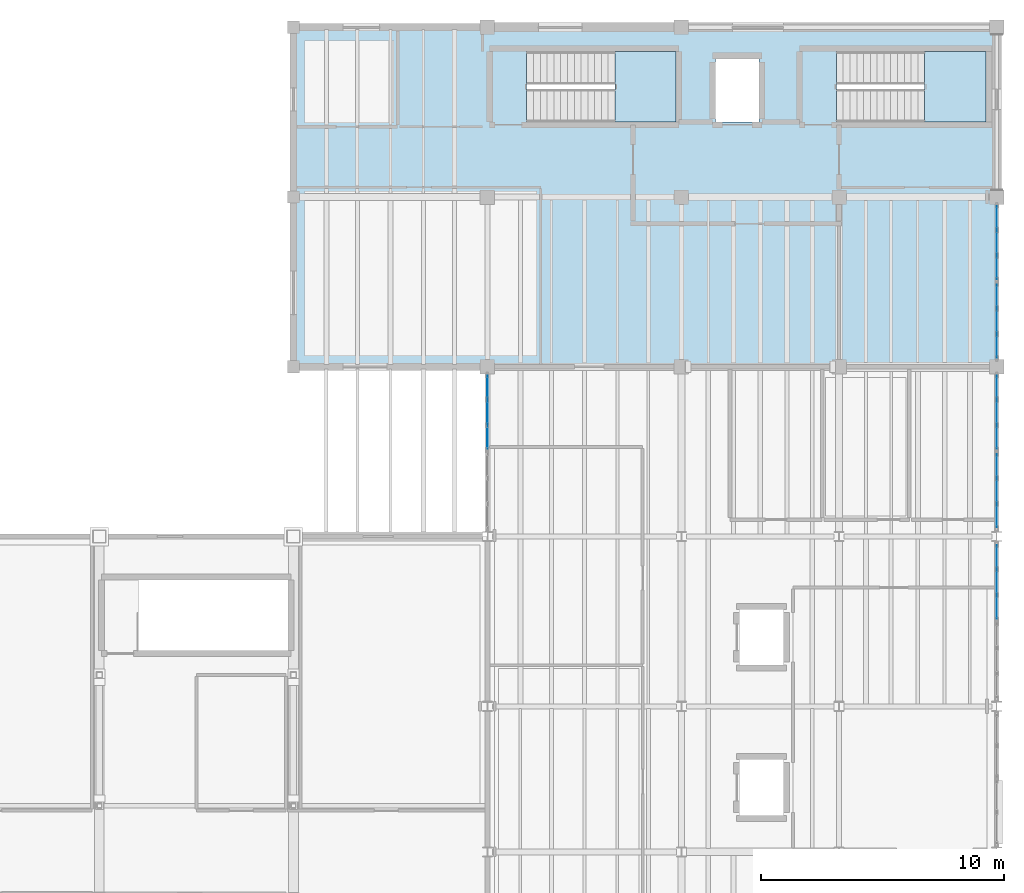
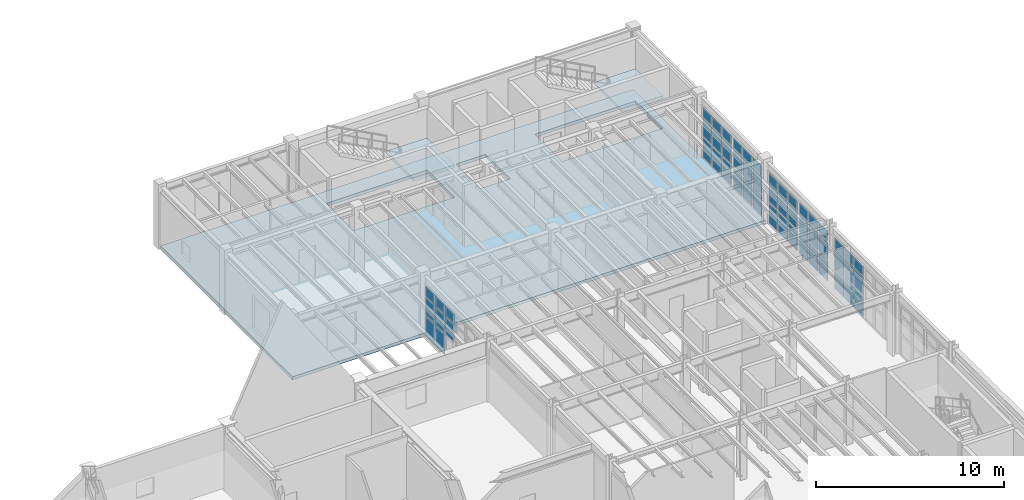
# One storey, part 53 of 78: 53 plates, 3 slabs, 8 elements without a shape of their own.
"""IFC4 building model written with IfcOpenShell, lengths in metres."""

from ifc_helpers import new_model, si_unit, direction, frame, origin, origin_2d, place, context, subcontext, project, spatial, polyline, rectangle, outline, extrude, material, layer, layer_set, type_object, element, aggregate, save


model = new_model("IFC4")

# Units and contexts
model_context = context("Model", 3, precision=1e-05, world=origin(), true_north=direction((0.0, 1.0)))
body_context = subcontext(model_context, "Body", "Model", "MODEL_VIEW")
ifc_project = project(units=[si_unit("LENGTHUNIT", "METRE"), si_unit("AREAUNIT", "SQUARE_METRE"), si_unit("VOLUMEUNIT", "CUBIC_METRE"), si_unit("PLANEANGLEUNIT", "RADIAN"), si_unit("MASSUNIT", "GRAM", prefix="KILO"), si_unit("THERMODYNAMICTEMPERATUREUNIT", "KELVIN"), si_unit("POWERUNIT", "WATT")], contexts=[model_context])

# Site, building, storey
site_placement = place(None, origin())
site = spatial("IfcSite", under=ifc_project, at=site_placement, CompositionType="ELEMENT")
building_placement = place(site_placement, origin())
building = spatial("IfcBuilding", under=site, at=building_placement, Name="Zhenchuan Central Fire Station", CompositionType="ELEMENT")
storey_placement = place(building_placement, frame((0.0, 0.0, 5.85009765625)))
storey = spatial("IfcBuildingStorey", under=building, at=storey_placement, Name="L02", CompositionType="ELEMENT", Elevation=5.85009765625)

# Curtain wall, plates
ifc_material_1 = material(Name="Anodised aluminium and low-E glazing", Category="aluminium")
curtain_wall_type_1 = type_object("IfcCurtainWallType", Name="CW-MOD-11", PredefinedType="USERDEFINED", material=ifc_material_1)
curtain_wall_1_placement = place(storey_placement, origin())
curtain_wall_1 = element("IfcCurtainWall", 1, at=curtain_wall_1_placement, inside=storey, type_object=curtain_wall_type_1, Name="L02 Unitised Curtain Wall 093", ObjectType="UNITISED GLAZING", PredefinedType="USERDEFINED")
ifc_material_2 = material(Name="Laminated low-E double glazing", Category="glass")
ifc_layer_1 = layer(ifc_material_2, 0.011962890625, Name="Laminated low-E double glazing", Category="glass")
ifc_layer_set_1 = layer_set([ifc_layer_1], Name="Laminated low-E double glazing")
plate_type = type_object("IfcPlateType", Name="CW-PNL12", PredefinedType="CURTAIN_PANEL", material=ifc_layer_set_1)
plate_1_placement = place(storey_placement, frame((161.0, 32.581298828125, 0.06103515625), z_axis=(0.0, 0.0, 1.0), x_axis=(0.0, 1.0, 0.0)))
plate_1 = element("IfcPlate", 2, at=plate_1_placement, type_object=plate_type, Name="CW-11 panel 1.1", PredefinedType="CURTAIN_PANEL", context=body_context, shape_type="SweptSolid", body=[
    extrude(rectangle(XDim=0.95654296875, YDim=0.011962890625, at=origin_2d()), origin(), (0.0, 0.0, 1.0), 1.33447265625),
])
plate_2_placement = place(storey_placement, frame((161.0, 32.581298828125, 1.46044921875), z_axis=(0.0, 0.0, 1.0), x_axis=(0.0, 1.0, 0.0)))
plate_2 = element("IfcPlate", 3, at=plate_2_placement, type_object=plate_type, Name="CW-11 panel 1.2", PredefinedType="CURTAIN_PANEL", context=body_context, shape_type="SweptSolid", body=[
    extrude(rectangle(XDim=0.95654296875, YDim=0.011962890625, at=origin_2d()), origin(), (0.0, 0.0, 1.0), 1.158935546875),
])
plate_3_placement = place(storey_placement, frame((161.0, 32.581298828125, 2.6845703125), z_axis=(0.0, 0.0, 1.0), x_axis=(0.0, 1.0, 0.0)))
plate_3 = element("IfcPlate", 4, at=plate_3_placement, type_object=plate_type, Name="CW-11 panel 1.3", PredefinedType="CURTAIN_PANEL", context=body_context, shape_type="SweptSolid", body=[
    extrude(rectangle(XDim=0.95654296875, YDim=0.011962890625, at=origin_2d()), origin(), (0.0, 0.0, 1.0), 0.650390625),
])
plate_4_placement = place(storey_placement, frame((161.0, 33.618896484375, 0.06103515625), z_axis=(0.0, 0.0, 1.0), x_axis=(0.0, 1.0, 0.0)))
plate_4 = element("IfcPlate", 5, at=plate_4_placement, type_object=plate_type, Name="CW-11 panel 2.1", PredefinedType="CURTAIN_PANEL", context=body_context, shape_type="SweptSolid", body=[
    extrude(rectangle(XDim=0.989013671875, YDim=0.011962890625, at=origin_2d()), origin(), (0.0, 0.0, 1.0), 1.33447265625),
])
plate_5_placement = place(storey_placement, frame((161.0, 33.618896484375, 1.46044921875), z_axis=(0.0, 0.0, 1.0), x_axis=(0.0, 1.0, 0.0)))
plate_5 = element("IfcPlate", 6, at=plate_5_placement, type_object=plate_type, Name="CW-11 panel 2.2", PredefinedType="CURTAIN_PANEL", context=body_context, shape_type="SweptSolid", body=[
    extrude(rectangle(XDim=0.989013671875, YDim=0.011962890625, at=origin_2d()), origin(), (0.0, 0.0, 1.0), 1.158935546875),
])
plate_6_placement = place(storey_placement, frame((161.0, 33.618896484375, 2.6845703125), z_axis=(0.0, 0.0, 1.0), x_axis=(0.0, 1.0, 0.0)))
plate_6 = element("IfcPlate", 7, at=plate_6_placement, type_object=plate_type, Name="CW-11 panel 2.3", PredefinedType="CURTAIN_PANEL", context=body_context, shape_type="SweptSolid", body=[
    extrude(rectangle(XDim=0.989013671875, YDim=0.011962890625, at=origin_2d()), origin(), (0.0, 0.0, 1.0), 0.650390625),
])
plate_7_placement = place(storey_placement, frame((161.0, 34.65673828125, 0.06103515625), z_axis=(0.0, 0.0, 1.0), x_axis=(0.0, 1.0, 0.0)))
plate_7 = element("IfcPlate", 8, at=plate_7_placement, type_object=plate_type, Name="CW-11 panel 3.1", PredefinedType="CURTAIN_PANEL", context=body_context, shape_type="SweptSolid", body=[
    extrude(rectangle(XDim=0.95654296875, YDim=0.011962890625, at=origin_2d()), origin(), (0.0, 0.0, 1.0), 1.33447265625),
])
plate_8_placement = place(storey_placement, frame((161.0, 34.65673828125, 1.46044921875), z_axis=(0.0, 0.0, 1.0), x_axis=(0.0, 1.0, 0.0)))
plate_8 = element("IfcPlate", 9, at=plate_8_placement, type_object=plate_type, Name="CW-11 panel 3.2", PredefinedType="CURTAIN_PANEL", context=body_context, shape_type="SweptSolid", body=[
    extrude(rectangle(XDim=0.95654296875, YDim=0.011962890625, at=origin_2d()), origin(), (0.0, 0.0, 1.0), 1.158935546875),
])
plate_9_placement = place(storey_placement, frame((161.0, 34.65673828125, 2.6845703125), z_axis=(0.0, 0.0, 1.0), x_axis=(0.0, 1.0, 0.0)))
plate_9 = element("IfcPlate", 10, at=plate_9_placement, type_object=plate_type, Name="CW-11 panel 3.3", PredefinedType="CURTAIN_PANEL", context=body_context, shape_type="SweptSolid", body=[
    extrude(rectangle(XDim=0.95654296875, YDim=0.011962890625, at=origin_2d()), origin(), (0.0, 0.0, 1.0), 0.650390625),
])
aggregate(curtain_wall_1, [plate_1, plate_2, plate_3, plate_4, plate_5, plate_6, plate_7, plate_8, plate_9])

curtain_wall_type_2 = type_object("IfcCurtainWallType", Name="CW-MOD-12", PredefinedType="USERDEFINED", material=ifc_material_1)
curtain_wall_2_placement = place(storey_placement, origin())
curtain_wall_2 = element("IfcCurtainWall", 11, at=curtain_wall_2_placement, inside=storey, type_object=curtain_wall_type_2, Name="L02 Unitised Curtain Wall 094", ObjectType="UNITISED GLAZING", PredefinedType="USERDEFINED")
plate_10_placement = place(storey_placement, frame((161.0, 36.345703125, 0.07080078125), z_axis=(0.0, 0.0, 1.0), x_axis=(0.0, 1.0, 0.0)))
plate_10 = element("IfcPlate", 12, at=plate_10_placement, type_object=plate_type, Name="CW-12 panel 1.1", PredefinedType="CURTAIN_PANEL", context=body_context, shape_type="SweptSolid", body=[
    extrude(rectangle(XDim=0.94140625, YDim=0.011962890625, at=origin_2d()), origin(), (0.0, 0.0, 1.0), 1.319580078125),
])
plate_11_placement = place(storey_placement, frame((161.0, 36.345703125, 1.46533203125), z_axis=(0.0, 0.0, 1.0), x_axis=(0.0, 1.0, 0.0)))
plate_11 = element("IfcPlate", 13, at=plate_11_placement, type_object=plate_type, Name="CW-12 panel 1.2", PredefinedType="CURTAIN_PANEL", context=body_context, shape_type="SweptSolid", body=[
    extrude(rectangle(XDim=0.94140625, YDim=0.011962890625, at=origin_2d()), origin(), (0.0, 0.0, 1.0), 1.14892578125),
])
plate_12_placement = place(storey_placement, frame((161.0, 36.345703125, 2.689453125), z_axis=(0.0, 0.0, 1.0), x_axis=(0.0, 1.0, 0.0)))
plate_12 = element("IfcPlate", 14, at=plate_12_placement, type_object=plate_type, Name="CW-12 panel 1.3", PredefinedType="CURTAIN_PANEL", context=body_context, shape_type="SweptSolid", body=[
    extrude(rectangle(XDim=0.94140625, YDim=0.011962890625, at=origin_2d()), origin(), (0.0, 0.0, 1.0), 0.635498046875),
])
plate_13_placement = place(storey_placement, frame((161.0, 37.381103515625, 0.07080078125), z_axis=(0.0, 0.0, 1.0), x_axis=(0.0, 1.0, 0.0)))
plate_13 = element("IfcPlate", 15, at=plate_13_placement, type_object=plate_type, Name="CW-12 panel 2.1", PredefinedType="CURTAIN_PANEL", context=body_context, shape_type="SweptSolid", body=[
    extrude(rectangle(XDim=0.97900390625, YDim=0.011962890625, at=origin_2d()), origin(), (0.0, 0.0, 1.0), 1.319580078125),
])
plate_14_placement = place(storey_placement, frame((161.0, 37.381103515625, 1.46533203125), z_axis=(0.0, 0.0, 1.0), x_axis=(0.0, 1.0, 0.0)))
plate_14 = element("IfcPlate", 16, at=plate_14_placement, type_object=plate_type, Name="CW-12 panel 2.2", PredefinedType="CURTAIN_PANEL", context=body_context, shape_type="SweptSolid", body=[
    extrude(rectangle(XDim=0.97900390625, YDim=0.011962890625, at=origin_2d()), origin(), (0.0, 0.0, 1.0), 1.14892578125),
])
plate_15_placement = place(storey_placement, frame((161.0, 37.381103515625, 2.689453125), z_axis=(0.0, 0.0, 1.0), x_axis=(0.0, 1.0, 0.0)))
plate_15 = element("IfcPlate", 17, at=plate_15_placement, type_object=plate_type, Name="CW-12 panel 2.3", PredefinedType="CURTAIN_PANEL", context=body_context, shape_type="SweptSolid", body=[
    extrude(rectangle(XDim=0.97900390625, YDim=0.011962890625, at=origin_2d()), origin(), (0.0, 0.0, 1.0), 0.635498046875),
])
plate_16_placement = place(storey_placement, frame((161.0, 38.416259765625, 0.07080078125), z_axis=(0.0, 0.0, 1.0), x_axis=(0.0, 1.0, 0.0)))
plate_16 = element("IfcPlate", 18, at=plate_16_placement, type_object=plate_type, Name="CW-12 panel 3.1", PredefinedType="CURTAIN_PANEL", context=body_context, shape_type="SweptSolid", body=[
    extrude(rectangle(XDim=0.94140625, YDim=0.011962890625, at=origin_2d()), origin(), (0.0, 0.0, 1.0), 1.319580078125),
])
plate_17_placement = place(storey_placement, frame((161.0, 38.416259765625, 1.46533203125), z_axis=(0.0, 0.0, 1.0), x_axis=(0.0, 1.0, 0.0)))
plate_17 = element("IfcPlate", 19, at=plate_17_placement, type_object=plate_type, Name="CW-12 panel 3.2", PredefinedType="CURTAIN_PANEL", context=body_context, shape_type="SweptSolid", body=[
    extrude(rectangle(XDim=0.94140625, YDim=0.011962890625, at=origin_2d()), origin(), (0.0, 0.0, 1.0), 1.14892578125),
])
plate_18_placement = place(storey_placement, frame((161.0, 38.416259765625, 2.689453125), z_axis=(0.0, 0.0, 1.0), x_axis=(0.0, 1.0, 0.0)))
plate_18 = element("IfcPlate", 20, at=plate_18_placement, type_object=plate_type, Name="CW-12 panel 3.3", PredefinedType="CURTAIN_PANEL", context=body_context, shape_type="SweptSolid", body=[
    extrude(rectangle(XDim=0.94140625, YDim=0.011962890625, at=origin_2d()), origin(), (0.0, 0.0, 1.0), 0.635498046875),
])
aggregate(curtain_wall_2, [plate_10, plate_11, plate_12, plate_13, plate_14, plate_15, plate_16, plate_17, plate_18])

curtain_wall_type_3 = type_object("IfcCurtainWallType", Name="CW-MOD-13", PredefinedType="USERDEFINED", material=ifc_material_1)
curtain_wall_3_placement = place(storey_placement, origin())
curtain_wall_3 = element("IfcCurtainWall", 21, at=curtain_wall_3_placement, inside=storey, type_object=curtain_wall_type_3, Name="L02 Unitised Curtain Wall 095", ObjectType="UNITISED GLAZING", PredefinedType="USERDEFINED")
plate_19_placement = place(storey_placement, frame((161.0, 39.583740234375, 0.07080078125), z_axis=(0.0, 0.0, 1.0), x_axis=(0.0, 1.0, 0.0)))
plate_19 = element("IfcPlate", 22, at=plate_19_placement, type_object=plate_type, Name="CW-13 panel 1.1", PredefinedType="CURTAIN_PANEL", context=body_context, shape_type="SweptSolid", body=[
    extrude(rectangle(XDim=0.94140625, YDim=0.011962890625, at=origin_2d()), origin(), (0.0, 0.0, 1.0), 1.319580078125),
])
plate_20_placement = place(storey_placement, frame((161.0, 39.583740234375, 1.46533203125), z_axis=(0.0, 0.0, 1.0), x_axis=(0.0, 1.0, 0.0)))
plate_20 = element("IfcPlate", 23, at=plate_20_placement, type_object=plate_type, Name="CW-13 panel 1.2", PredefinedType="CURTAIN_PANEL", context=body_context, shape_type="SweptSolid", body=[
    extrude(rectangle(XDim=0.94140625, YDim=0.011962890625, at=origin_2d()), origin(), (0.0, 0.0, 1.0), 1.14892578125),
])
plate_21_placement = place(storey_placement, frame((161.0, 39.583740234375, 2.689453125), z_axis=(0.0, 0.0, 1.0), x_axis=(0.0, 1.0, 0.0)))
plate_21 = element("IfcPlate", 24, at=plate_21_placement, type_object=plate_type, Name="CW-13 panel 1.3", PredefinedType="CURTAIN_PANEL", context=body_context, shape_type="SweptSolid", body=[
    extrude(rectangle(XDim=0.94140625, YDim=0.011962890625, at=origin_2d()), origin(), (0.0, 0.0, 1.0), 0.635498046875),
])
plate_22_placement = place(storey_placement, frame((161.0, 40.618896484375, 0.07080078125), z_axis=(0.0, 0.0, 1.0), x_axis=(0.0, 1.0, 0.0)))
plate_22 = element("IfcPlate", 25, at=plate_22_placement, type_object=plate_type, Name="CW-13 panel 2.1", PredefinedType="CURTAIN_PANEL", context=body_context, shape_type="SweptSolid", body=[
    extrude(rectangle(XDim=0.97900390625, YDim=0.011962890625, at=origin_2d()), origin(), (0.0, 0.0, 1.0), 1.319580078125),
])
plate_23_placement = place(storey_placement, frame((161.0, 40.618896484375, 1.46533203125), z_axis=(0.0, 0.0, 1.0), x_axis=(0.0, 1.0, 0.0)))
plate_23 = element("IfcPlate", 26, at=plate_23_placement, type_object=plate_type, Name="CW-13 panel 2.2", PredefinedType="CURTAIN_PANEL", context=body_context, shape_type="SweptSolid", body=[
    extrude(rectangle(XDim=0.97900390625, YDim=0.011962890625, at=origin_2d()), origin(), (0.0, 0.0, 1.0), 1.14892578125),
])
plate_24_placement = place(storey_placement, frame((161.0, 40.618896484375, 2.689453125), z_axis=(0.0, 0.0, 1.0), x_axis=(0.0, 1.0, 0.0)))
plate_24 = element("IfcPlate", 27, at=plate_24_placement, type_object=plate_type, Name="CW-13 panel 2.3", PredefinedType="CURTAIN_PANEL", context=body_context, shape_type="SweptSolid", body=[
    extrude(rectangle(XDim=0.97900390625, YDim=0.011962890625, at=origin_2d()), origin(), (0.0, 0.0, 1.0), 0.635498046875),
])
plate_25_placement = place(storey_placement, frame((161.0, 41.654296875, 0.07080078125), z_axis=(0.0, 0.0, 1.0), x_axis=(0.0, 1.0, 0.0)))
plate_25 = element("IfcPlate", 28, at=plate_25_placement, type_object=plate_type, Name="CW-13 panel 3.1", PredefinedType="CURTAIN_PANEL", context=body_context, shape_type="SweptSolid", body=[
    extrude(rectangle(XDim=0.94140625, YDim=0.011962890625, at=origin_2d()), origin(), (0.0, 0.0, 1.0), 1.319580078125),
])
plate_26_placement = place(storey_placement, frame((161.0, 41.654296875, 1.46533203125), z_axis=(0.0, 0.0, 1.0), x_axis=(0.0, 1.0, 0.0)))
plate_26 = element("IfcPlate", 29, at=plate_26_placement, type_object=plate_type, Name="CW-13 panel 3.2", PredefinedType="CURTAIN_PANEL", context=body_context, shape_type="SweptSolid", body=[
    extrude(rectangle(XDim=0.94140625, YDim=0.011962890625, at=origin_2d()), origin(), (0.0, 0.0, 1.0), 1.14892578125),
])
plate_27_placement = place(storey_placement, frame((161.0, 41.654296875, 2.689453125), z_axis=(0.0, 0.0, 1.0), x_axis=(0.0, 1.0, 0.0)))
plate_27 = element("IfcPlate", 30, at=plate_27_placement, type_object=plate_type, Name="CW-13 panel 3.3", PredefinedType="CURTAIN_PANEL", context=body_context, shape_type="SweptSolid", body=[
    extrude(rectangle(XDim=0.94140625, YDim=0.011962890625, at=origin_2d()), origin(), (0.0, 0.0, 1.0), 0.635498046875),
])
aggregate(curtain_wall_3, [plate_19, plate_20, plate_21, plate_22, plate_23, plate_24, plate_25, plate_26, plate_27])

curtain_wall_4_placement = place(storey_placement, origin())
curtain_wall_4 = element("IfcCurtainWall", 31, at=curtain_wall_4_placement, inside=storey, type_object=curtain_wall_type_2, Name="L02 Unitised Curtain Wall 099", ObjectType="UNITISED GLAZING", PredefinedType="USERDEFINED")
plate_28_placement = place(storey_placement, frame((140.0, 39.583740234375, 1.46533203125), z_axis=(0.0, 0.0, 1.0), x_axis=(0.0, 1.0, 0.0)))
plate_28 = element("IfcPlate", 32, at=plate_28_placement, type_object=plate_type, Name="CW-12 panel 1.2", PredefinedType="CURTAIN_PANEL", context=body_context, shape_type="SweptSolid", body=[
    extrude(rectangle(XDim=0.94140625, YDim=0.011962890625, at=origin_2d()), origin(), (0.0, 0.0, 1.0), 1.14892578125),
])
plate_29_placement = place(storey_placement, frame((140.0, 39.583740234375, 2.689453125), z_axis=(0.0, 0.0, 1.0), x_axis=(0.0, 1.0, 0.0)))
plate_29 = element("IfcPlate", 33, at=plate_29_placement, type_object=plate_type, Name="CW-12 panel 1.3", PredefinedType="CURTAIN_PANEL", context=body_context, shape_type="SweptSolid", body=[
    extrude(rectangle(XDim=0.94140625, YDim=0.011962890625, at=origin_2d()), origin(), (0.0, 0.0, 1.0), 0.635498046875),
])
plate_30_placement = place(storey_placement, frame((140.0, 40.618896484375, 0.07080078125), z_axis=(0.0, 0.0, 1.0), x_axis=(0.0, 1.0, 0.0)))
plate_30 = element("IfcPlate", 34, at=plate_30_placement, type_object=plate_type, Name="CW-12 panel 2.1", PredefinedType="CURTAIN_PANEL", context=body_context, shape_type="SweptSolid", body=[
    extrude(rectangle(XDim=0.97900390625, YDim=0.011962890625, at=origin_2d()), origin(), (0.0, 0.0, 1.0), 1.319580078125),
])
plate_31_placement = place(storey_placement, frame((140.0, 40.618896484375, 1.46533203125), z_axis=(0.0, 0.0, 1.0), x_axis=(0.0, 1.0, 0.0)))
plate_31 = element("IfcPlate", 35, at=plate_31_placement, type_object=plate_type, Name="CW-12 panel 2.2", PredefinedType="CURTAIN_PANEL", context=body_context, shape_type="SweptSolid", body=[
    extrude(rectangle(XDim=0.97900390625, YDim=0.011962890625, at=origin_2d()), origin(), (0.0, 0.0, 1.0), 1.14892578125),
])
plate_32_placement = place(storey_placement, frame((140.0, 40.618896484375, 2.689453125), z_axis=(0.0, 0.0, 1.0), x_axis=(0.0, 1.0, 0.0)))
plate_32 = element("IfcPlate", 36, at=plate_32_placement, type_object=plate_type, Name="CW-12 panel 2.3", PredefinedType="CURTAIN_PANEL", context=body_context, shape_type="SweptSolid", body=[
    extrude(rectangle(XDim=0.97900390625, YDim=0.011962890625, at=origin_2d()), origin(), (0.0, 0.0, 1.0), 0.635498046875),
])
plate_33_placement = place(storey_placement, frame((140.0, 41.654296875, 0.07080078125), z_axis=(0.0, 0.0, 1.0), x_axis=(0.0, 1.0, 0.0)))
plate_33 = element("IfcPlate", 37, at=plate_33_placement, type_object=plate_type, Name="CW-12 panel 3.1", PredefinedType="CURTAIN_PANEL", context=body_context, shape_type="SweptSolid", body=[
    extrude(rectangle(XDim=0.94140625, YDim=0.011962890625, at=origin_2d()), origin(), (0.0, 0.0, 1.0), 1.319580078125),
])
plate_34_placement = place(storey_placement, frame((140.0, 41.654296875, 1.46533203125), z_axis=(0.0, 0.0, 1.0), x_axis=(0.0, 1.0, 0.0)))
plate_34 = element("IfcPlate", 38, at=plate_34_placement, type_object=plate_type, Name="CW-12 panel 3.2", PredefinedType="CURTAIN_PANEL", context=body_context, shape_type="SweptSolid", body=[
    extrude(rectangle(XDim=0.94140625, YDim=0.011962890625, at=origin_2d()), origin(), (0.0, 0.0, 1.0), 1.14892578125),
])
plate_35_placement = place(storey_placement, frame((140.0, 41.654296875, 2.689453125), z_axis=(0.0, 0.0, 1.0), x_axis=(0.0, 1.0, 0.0)))
plate_35 = element("IfcPlate", 39, at=plate_35_placement, type_object=plate_type, Name="CW-12 panel 3.3", PredefinedType="CURTAIN_PANEL", context=body_context, shape_type="SweptSolid", body=[
    extrude(rectangle(XDim=0.94140625, YDim=0.011962890625, at=origin_2d()), origin(), (0.0, 0.0, 1.0), 0.635498046875),
])
aggregate(curtain_wall_4, [plate_28, plate_29, plate_30, plate_31, plate_32, plate_33, plate_34, plate_35])

curtain_wall_5_placement = place(storey_placement, origin())
curtain_wall_5 = element("IfcCurtainWall", 40, at=curtain_wall_5_placement, inside=storey, type_object=curtain_wall_type_2, Name="L02 Unitised Curtain Wall 142", ObjectType="UNITISED GLAZING", PredefinedType="USERDEFINED")
plate_36_placement = place(storey_placement, frame((161.0, 43.345703125, 0.07080078125), z_axis=(0.0, 0.0, 1.0), x_axis=(0.0, 1.0, 0.0)))
plate_36 = element("IfcPlate", 41, at=plate_36_placement, type_object=plate_type, Name="CW-12 panel 1.1", PredefinedType="CURTAIN_PANEL", context=body_context, shape_type="SweptSolid", body=[
    extrude(rectangle(XDim=0.94140625, YDim=0.011962890625, at=origin_2d()), origin(), (0.0, 0.0, 1.0), 1.319580078125),
])
plate_37_placement = place(storey_placement, frame((161.0, 43.345703125, 1.46533203125), z_axis=(0.0, 0.0, 1.0), x_axis=(0.0, 1.0, 0.0)))
plate_37 = element("IfcPlate", 42, at=plate_37_placement, type_object=plate_type, Name="CW-12 panel 1.2", PredefinedType="CURTAIN_PANEL", context=body_context, shape_type="SweptSolid", body=[
    extrude(rectangle(XDim=0.94140625, YDim=0.011962890625, at=origin_2d()), origin(), (0.0, 0.0, 1.0), 1.14892578125),
])
plate_38_placement = place(storey_placement, frame((161.0, 43.345703125, 2.689453125), z_axis=(0.0, 0.0, 1.0), x_axis=(0.0, 1.0, 0.0)))
plate_38 = element("IfcPlate", 43, at=plate_38_placement, type_object=plate_type, Name="CW-12 panel 1.3", PredefinedType="CURTAIN_PANEL", context=body_context, shape_type="SweptSolid", body=[
    extrude(rectangle(XDim=0.94140625, YDim=0.011962890625, at=origin_2d()), origin(), (0.0, 0.0, 1.0), 0.635498046875),
])
plate_39_placement = place(storey_placement, frame((161.0, 44.381103515625, 0.07080078125), z_axis=(0.0, 0.0, 1.0), x_axis=(0.0, 1.0, 0.0)))
plate_39 = element("IfcPlate", 44, at=plate_39_placement, type_object=plate_type, Name="CW-12 panel 2.1", PredefinedType="CURTAIN_PANEL", context=body_context, shape_type="SweptSolid", body=[
    extrude(rectangle(XDim=0.97900390625, YDim=0.011962890625, at=origin_2d()), origin(), (0.0, 0.0, 1.0), 1.319580078125),
])
plate_40_placement = place(storey_placement, frame((161.0, 44.381103515625, 1.46533203125), z_axis=(0.0, 0.0, 1.0), x_axis=(0.0, 1.0, 0.0)))
plate_40 = element("IfcPlate", 45, at=plate_40_placement, type_object=plate_type, Name="CW-12 panel 2.2", PredefinedType="CURTAIN_PANEL", context=body_context, shape_type="SweptSolid", body=[
    extrude(rectangle(XDim=0.97900390625, YDim=0.011962890625, at=origin_2d()), origin(), (0.0, 0.0, 1.0), 1.14892578125),
])
plate_41_placement = place(storey_placement, frame((161.0, 44.381103515625, 2.689453125), z_axis=(0.0, 0.0, 1.0), x_axis=(0.0, 1.0, 0.0)))
plate_41 = element("IfcPlate", 46, at=plate_41_placement, type_object=plate_type, Name="CW-12 panel 2.3", PredefinedType="CURTAIN_PANEL", context=body_context, shape_type="SweptSolid", body=[
    extrude(rectangle(XDim=0.97900390625, YDim=0.011962890625, at=origin_2d()), origin(), (0.0, 0.0, 1.0), 0.635498046875),
])
plate_42_placement = place(storey_placement, frame((161.0, 45.416259765625, 0.07080078125), z_axis=(0.0, 0.0, 1.0), x_axis=(0.0, 1.0, 0.0)))
plate_42 = element("IfcPlate", 47, at=plate_42_placement, type_object=plate_type, Name="CW-12 panel 3.1", PredefinedType="CURTAIN_PANEL", context=body_context, shape_type="SweptSolid", body=[
    extrude(rectangle(XDim=0.94140625, YDim=0.011962890625, at=origin_2d()), origin(), (0.0, 0.0, 1.0), 1.319580078125),
])
plate_43_placement = place(storey_placement, frame((161.0, 45.416259765625, 1.46533203125), z_axis=(0.0, 0.0, 1.0), x_axis=(0.0, 1.0, 0.0)))
plate_43 = element("IfcPlate", 48, at=plate_43_placement, type_object=plate_type, Name="CW-12 panel 3.2", PredefinedType="CURTAIN_PANEL", context=body_context, shape_type="SweptSolid", body=[
    extrude(rectangle(XDim=0.94140625, YDim=0.011962890625, at=origin_2d()), origin(), (0.0, 0.0, 1.0), 1.14892578125),
])
plate_44_placement = place(storey_placement, frame((161.0, 45.416259765625, 2.689453125), z_axis=(0.0, 0.0, 1.0), x_axis=(0.0, 1.0, 0.0)))
plate_44 = element("IfcPlate", 49, at=plate_44_placement, type_object=plate_type, Name="CW-12 panel 3.3", PredefinedType="CURTAIN_PANEL", context=body_context, shape_type="SweptSolid", body=[
    extrude(rectangle(XDim=0.94140625, YDim=0.011962890625, at=origin_2d()), origin(), (0.0, 0.0, 1.0), 0.635498046875),
])
aggregate(curtain_wall_5, [plate_36, plate_37, plate_38, plate_39, plate_40, plate_41, plate_42, plate_43, plate_44])

curtain_wall_6_placement = place(storey_placement, origin())
curtain_wall_6 = element("IfcCurtainWall", 50, at=curtain_wall_6_placement, inside=storey, type_object=curtain_wall_type_3, Name="L02 Unitised Curtain Wall 143", ObjectType="UNITISED GLAZING", PredefinedType="USERDEFINED")
plate_45_placement = place(storey_placement, frame((161.0, 46.583740234375, 0.07080078125), z_axis=(0.0, 0.0, 1.0), x_axis=(0.0, 1.0, 0.0)))
plate_45 = element("IfcPlate", 51, at=plate_45_placement, type_object=plate_type, Name="CW-13 panel 1.1", PredefinedType="CURTAIN_PANEL", context=body_context, shape_type="SweptSolid", body=[
    extrude(rectangle(XDim=0.94140625, YDim=0.011962890625, at=origin_2d()), origin(), (0.0, 0.0, 1.0), 1.319580078125),
])
plate_46_placement = place(storey_placement, frame((161.0, 46.583740234375, 1.46533203125), z_axis=(0.0, 0.0, 1.0), x_axis=(0.0, 1.0, 0.0)))
plate_46 = element("IfcPlate", 52, at=plate_46_placement, type_object=plate_type, Name="CW-13 panel 1.2", PredefinedType="CURTAIN_PANEL", context=body_context, shape_type="SweptSolid", body=[
    extrude(rectangle(XDim=0.94140625, YDim=0.011962890625, at=origin_2d()), origin(), (0.0, 0.0, 1.0), 1.14892578125),
])
plate_47_placement = place(storey_placement, frame((161.0, 46.583740234375, 2.689453125), z_axis=(0.0, 0.0, 1.0), x_axis=(0.0, 1.0, 0.0)))
plate_47 = element("IfcPlate", 53, at=plate_47_placement, type_object=plate_type, Name="CW-13 panel 1.3", PredefinedType="CURTAIN_PANEL", context=body_context, shape_type="SweptSolid", body=[
    extrude(rectangle(XDim=0.94140625, YDim=0.011962890625, at=origin_2d()), origin(), (0.0, 0.0, 1.0), 0.635498046875),
])
plate_48_placement = place(storey_placement, frame((161.0, 47.618896484375, 0.07080078125), z_axis=(0.0, 0.0, 1.0), x_axis=(0.0, 1.0, 0.0)))
plate_48 = element("IfcPlate", 54, at=plate_48_placement, type_object=plate_type, Name="CW-13 panel 2.1", PredefinedType="CURTAIN_PANEL", context=body_context, shape_type="SweptSolid", body=[
    extrude(rectangle(XDim=0.97900390625, YDim=0.011962890625, at=origin_2d()), origin(), (0.0, 0.0, 1.0), 1.319580078125),
])
plate_49_placement = place(storey_placement, frame((161.0, 47.618896484375, 1.46533203125), z_axis=(0.0, 0.0, 1.0), x_axis=(0.0, 1.0, 0.0)))
plate_49 = element("IfcPlate", 55, at=plate_49_placement, type_object=plate_type, Name="CW-13 panel 2.2", PredefinedType="CURTAIN_PANEL", context=body_context, shape_type="SweptSolid", body=[
    extrude(rectangle(XDim=0.97900390625, YDim=0.011962890625, at=origin_2d()), origin(), (0.0, 0.0, 1.0), 1.14892578125),
])
plate_50_placement = place(storey_placement, frame((161.0, 47.618896484375, 2.689453125), z_axis=(0.0, 0.0, 1.0), x_axis=(0.0, 1.0, 0.0)))
plate_50 = element("IfcPlate", 56, at=plate_50_placement, type_object=plate_type, Name="CW-13 panel 2.3", PredefinedType="CURTAIN_PANEL", context=body_context, shape_type="SweptSolid", body=[
    extrude(rectangle(XDim=0.97900390625, YDim=0.011962890625, at=origin_2d()), origin(), (0.0, 0.0, 1.0), 0.635498046875),
])
plate_51_placement = place(storey_placement, frame((161.0, 48.654296875, 0.07080078125), z_axis=(0.0, 0.0, 1.0), x_axis=(0.0, 1.0, 0.0)))
plate_51 = element("IfcPlate", 57, at=plate_51_placement, type_object=plate_type, Name="CW-13 panel 3.1", PredefinedType="CURTAIN_PANEL", context=body_context, shape_type="SweptSolid", body=[
    extrude(rectangle(XDim=0.94140625, YDim=0.011962890625, at=origin_2d()), origin(), (0.0, 0.0, 1.0), 1.319580078125),
])
plate_52_placement = place(storey_placement, frame((161.0, 48.654296875, 1.46533203125), z_axis=(0.0, 0.0, 1.0), x_axis=(0.0, 1.0, 0.0)))
plate_52 = element("IfcPlate", 58, at=plate_52_placement, type_object=plate_type, Name="CW-13 panel 3.2", PredefinedType="CURTAIN_PANEL", context=body_context, shape_type="SweptSolid", body=[
    extrude(rectangle(XDim=0.94140625, YDim=0.011962890625, at=origin_2d()), origin(), (0.0, 0.0, 1.0), 1.14892578125),
])
plate_53_placement = place(storey_placement, frame((161.0, 48.654296875, 2.689453125), z_axis=(0.0, 0.0, 1.0), x_axis=(0.0, 1.0, 0.0)))
plate_53 = element("IfcPlate", 59, at=plate_53_placement, type_object=plate_type, Name="CW-13 panel 3.3", PredefinedType="CURTAIN_PANEL", context=body_context, shape_type="SweptSolid", body=[
    extrude(rectangle(XDim=0.94140625, YDim=0.011962890625, at=origin_2d()), origin(), (0.0, 0.0, 1.0), 0.635498046875),
])
aggregate(curtain_wall_6, [plate_45, plate_46, plate_47, plate_48, plate_49, plate_50, plate_51, plate_52, plate_53])

# Slab
ifc_material_3 = material(Name="Concrete C35/45", Category="concrete")
ifc_layer_2 = layer(ifc_material_3, 0.199951171875, Name="Concrete C35/45", Category="concrete")
ifc_layer_set_2 = layer_set([ifc_layer_2], Name="Concrete C35/45")
slab_type_1 = type_object("IfcSlabType", Name="SL-FLR200", PredefinedType="FLOOR", material=ifc_layer_set_2)
slab_1_placement = place(storey_placement, frame((0.0, 0.0, -0.2001953125)))
element("IfcSlab", 60, at=slab_1_placement, inside=storey, type_object=slab_type_1, Name="L02 Drill Tower Floor Slab", PredefinedType="FLOOR", context=body_context, shape_type="SweptSolid", body=[
    extrude(outline(polyline([(132.02490234375, 42.50390625), (161.0, 42.50390625), (161.0, 56.5), (132.02490234375, 56.5), (132.02490234375, 42.50390625)]), holes=[polyline([(141.62060546875, 52.60009765625), (147.780029296875, 52.60009765625), (147.780029296875, 55.5), (141.62060546875, 55.5), (141.62060546875, 52.60009765625)]), polyline([(154.390380859375, 52.60009765625), (160.550048828125, 52.60009765625), (160.550048828125, 55.5), (154.390380859375, 55.5), (154.390380859375, 52.60009765625)]), polyline([(149.39990234375, 52.60009765625), (151.199951171875, 52.60009765625), (151.199951171875, 55.199951171875), (149.39990234375, 55.199951171875), (149.39990234375, 52.60009765625)])]), origin(), (0.0, 0.0, 1.0), 0.2001953125),
])

# Stair, slab
stair_type = type_object("IfcStairType", Name="ST-CORE-TYP", PredefinedType="HALF_TURN_STAIR", material=ifc_material_3)
stair_1_placement = place(storey_placement, origin())
stair_1 = element("IfcStair", 61, at=stair_1_placement, inside=storey, type_object=stair_type, Name="L02 Drill Tower West Exit Stair", PredefinedType="HALF_TURN_STAIR")
ifc_layer_3 = layer(ifc_material_3, 0.159912109375, Name="Concrete C35/45", Category="concrete")
ifc_layer_set_3 = layer_set([ifc_layer_3], Name="Concrete C35/45")
slab_type_2 = type_object("IfcSlabType", Name="SL-LND160", PredefinedType="LANDING", material=ifc_layer_set_3)
slab_2_placement = place(storey_placement, frame((0.0, 0.0, 1.89990234375)))
slab_2 = element("IfcSlab", 62, at=slab_2_placement, type_object=slab_type_2, Name="ST-12 landing 1", PredefinedType="LANDING", context=body_context, shape_type="SweptSolid", body=[
    extrude(outline(polyline([(145.260009765625, 52.60009765625), (147.780029296875, 52.60009765625), (147.780029296875, 55.5), (145.260009765625, 55.5), (145.260009765625, 52.60009765625)])), origin(), (0.0, 0.0, 1.0), 0.199951171875),
])
aggregate(stair_1, [slab_2])

stair_2_placement = place(storey_placement, origin())
stair_2 = element("IfcStair", 63, at=stair_2_placement, inside=storey, type_object=stair_type, Name="L02 Drill Tower East Exit Stair", PredefinedType="HALF_TURN_STAIR")
slab_3_placement = place(storey_placement, frame((0.0, 0.0, 1.89990234375)))
slab_3 = element("IfcSlab", 64, at=slab_3_placement, type_object=slab_type_2, Name="ST-13 landing 1", PredefinedType="LANDING", context=body_context, shape_type="SweptSolid", body=[
    extrude(outline(polyline([(158.030029296875, 52.60009765625), (160.550048828125, 52.60009765625), (160.550048828125, 55.5), (158.030029296875, 55.5), (158.030029296875, 52.60009765625)])), origin(), (0.0, 0.0, 1.0), 0.199951171875),
])
aggregate(stair_2, [slab_3])

save(model, "model.ifc")
